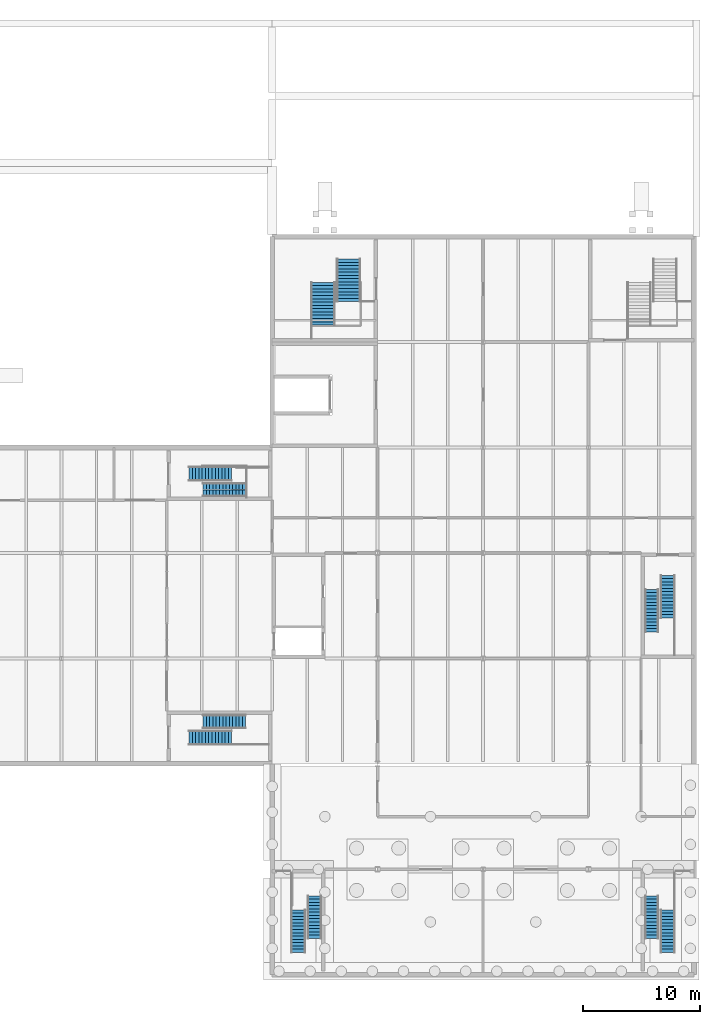
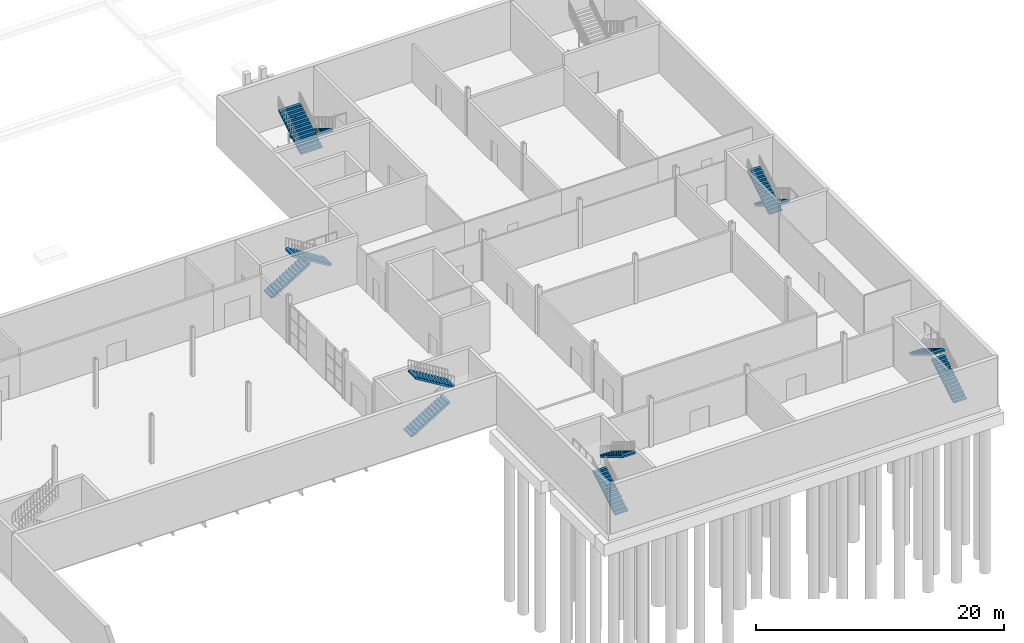
# One storey, part 21 of 31: 12 stair flights, 6 elements without a shape of their own.
"""IFC4 building model written with IfcOpenShell, lengths in metres."""

from ifc_helpers import new_model, si_unit, direction, frame, origin, place, context, subcontext, project, spatial, polyline, outline, extrude, material, type_object, element, aggregate, save


model = new_model("IFC4")

# Units and contexts
model_context = context("Model", 3, precision=1e-05, world=origin(), true_north=direction((0.0, 1.0)))
body_context = subcontext(model_context, "Body", "Model", "MODEL_VIEW")
ifc_project = project(units=[si_unit("LENGTHUNIT", "METRE"), si_unit("AREAUNIT", "SQUARE_METRE"), si_unit("VOLUMEUNIT", "CUBIC_METRE"), si_unit("PLANEANGLEUNIT", "RADIAN"), si_unit("MASSUNIT", "GRAM", prefix="KILO")], contexts=[model_context])

# Site, building, storey
site_placement = place(None, origin())
site = spatial("IfcSite", under=ifc_project, at=site_placement, CompositionType="ELEMENT")
building_placement = place(site_placement, origin())
building = spatial("IfcBuilding", under=site, at=building_placement, Name="Halyard Row Museum", CompositionType="ELEMENT")
storey_placement = place(building_placement, frame((0.0, 0.0, -4.800048828125)))
storey = spatial("IfcBuildingStorey", under=building, at=storey_placement, Name="B1", CompositionType="ELEMENT", Elevation=-4.800048828125)

# Stair, stair flights
ifc_material_1 = material(Name="Concrete 40 MPa", Category="concrete")
stair_type_1 = type_object("IfcStairType", Name="Exit stair two flights 1200", PredefinedType="HALF_TURN_STAIR", material=ifc_material_1)
stair_1_placement = place(storey_placement, origin())
stair_1 = element("IfcStair", 1, at=stair_1_placement, inside=storey, type_object=stair_type_1, Name="Exit stair K1B B1", PredefinedType="HALF_TURN_STAIR")
ifc_material_2 = material(Name="Concrete 40 MPa", Category="concrete")
stair_flight_type_1 = type_object("IfcStairFlightType", Name="Exit stair flight 1200", PredefinedType="STRAIGHT", material=ifc_material_2)
stair_flight_1_placement = place(storey_placement, frame((64.89990234375, 42.75, 0.0), z_axis=(0.0, 0.0, 1.0), x_axis=(1.0, 0.0, 0.0)))
stair_flight_1 = element("IfcStairFlight", 2, at=stair_flight_1_placement, type_object=stair_flight_type_1, Name="STK1B-B1 flight 1", NumberOfRisers=14, NumberOfTreads=13, PredefinedType="STRAIGHT", RiserHeight=0.171428571, TreadLength=0.28, context=body_context, shape_type="SweptSolid", body=[
    extrude(outline(polyline([(0.0, 0.0), (0.0, 0.17138671875), (0.280029296875, 0.17138671875), (0.280029296875, 0.3427734375), (0.56005859375, 0.3427734375), (0.56005859375, 0.514404296875), (0.840087890625, 0.514404296875), (0.840087890625, 0.685791015625), (1.1201171875, 0.685791015625), (1.1201171875, 0.857177734375), (1.39990234375, 0.857177734375), (1.39990234375, 1.028564453125), (1.679931640625, 1.028564453125), (1.679931640625, 1.199951171875), (1.9599609375, 1.199951171875), (1.9599609375, 1.371337890625), (2.239990234375, 1.371337890625), (2.239990234375, 1.54296875), (2.52001953125, 1.54296875), (2.52001953125, 1.71435546875), (2.800048828125, 1.71435546875), (2.800048828125, 1.8857421875), (3.080078125, 1.8857421875), (3.080078125, 2.05712890625), (3.360107421875, 2.05712890625), (3.360107421875, 2.228515625), (3.639892578125, 2.228515625), (3.639892578125, 2.39990234375), (3.639892578125, 2.052734375), (0.287109375, 0.0), (0.0, 0.0)])), frame((0.0, 0.60009765625, 0.0), z_axis=(0.0, -1.0, 0.0), x_axis=(1.0, 0.0, 0.0)), (0.0, 0.0, 1.0), 0.59912109375),
    extrude(outline(polyline([(0.0, 0.0), (0.0, 0.17138671875), (0.280029296875, 0.17138671875), (0.280029296875, 0.3427734375), (0.56005859375, 0.3427734375), (0.56005859375, 0.514404296875), (0.840087890625, 0.514404296875), (0.840087890625, 0.685791015625), (1.1201171875, 0.685791015625), (1.1201171875, 0.857177734375), (1.39990234375, 0.857177734375), (1.39990234375, 1.028564453125), (1.679931640625, 1.028564453125), (1.679931640625, 1.199951171875), (1.9599609375, 1.199951171875), (1.9599609375, 1.371337890625), (2.239990234375, 1.371337890625), (2.239990234375, 1.54296875), (2.52001953125, 1.54296875), (2.52001953125, 1.71435546875), (2.800048828125, 1.71435546875), (2.800048828125, 1.8857421875), (3.080078125, 1.8857421875), (3.080078125, 2.05712890625), (3.360107421875, 2.05712890625), (3.360107421875, 2.228515625), (3.639892578125, 2.228515625), (3.639892578125, 2.39990234375), (3.639892578125, 2.052734375), (0.287109375, 0.0), (0.0, 0.0)])), frame((0.0, -0.0009765625, 0.0), z_axis=(0.0, -1.0, 0.0), x_axis=(1.0, 0.0, 0.0)), (0.0, 0.0, 1.0), 0.59912109375),
])
stair_flight_2_placement = place(storey_placement, frame((69.739990234375, 41.39990234375, 2.400146484375), z_axis=(0.0, 0.0, 1.0), x_axis=(-1.0, 0.0, 0.0)))
stair_flight_2 = element("IfcStairFlight", 3, at=stair_flight_2_placement, type_object=stair_flight_type_1, Name="STK1B-B1 flight 2", NumberOfRisers=14, NumberOfTreads=13, PredefinedType="STRAIGHT", RiserHeight=0.171428571, TreadLength=0.28, context=body_context, shape_type="SweptSolid", body=[
    extrude(outline(polyline([(0.0, 0.0), (0.0, 0.17138671875), (0.280029296875, 0.17138671875), (0.280029296875, 0.3427734375), (0.56005859375, 0.3427734375), (0.56005859375, 0.514404296875), (0.840087890625, 0.514404296875), (0.840087890625, 0.685791015625), (1.1201171875, 0.685791015625), (1.1201171875, 0.857177734375), (1.39990234375, 0.857177734375), (1.39990234375, 1.028564453125), (1.679931640625, 1.028564453125), (1.679931640625, 1.199951171875), (1.9599609375, 1.199951171875), (1.9599609375, 1.371337890625), (2.239990234375, 1.371337890625), (2.239990234375, 1.54296875), (2.52001953125, 1.54296875), (2.52001953125, 1.71435546875), (2.800048828125, 1.71435546875), (2.800048828125, 1.8857421875), (3.080078125, 1.8857421875), (3.080078125, 2.05712890625), (3.360107421875, 2.05712890625), (3.360107421875, 2.228515625), (3.639892578125, 2.228515625), (3.639892578125, 2.39990234375), (3.639892578125, 2.052734375), (0.287109375, 0.0), (0.0, 0.0)])), frame((0.0, 0.60009765625, 0.0), z_axis=(0.0, -1.0, 0.0), x_axis=(1.0, 0.0, 0.0)), (0.0, 0.0, 1.0), 0.59912109375),
    extrude(outline(polyline([(0.0, 0.0), (0.0, 0.17138671875), (0.280029296875, 0.17138671875), (0.280029296875, 0.3427734375), (0.56005859375, 0.3427734375), (0.56005859375, 0.514404296875), (0.840087890625, 0.514404296875), (0.840087890625, 0.685791015625), (1.1201171875, 0.685791015625), (1.1201171875, 0.857177734375), (1.39990234375, 0.857177734375), (1.39990234375, 1.028564453125), (1.679931640625, 1.028564453125), (1.679931640625, 1.199951171875), (1.9599609375, 1.199951171875), (1.9599609375, 1.371337890625), (2.239990234375, 1.371337890625), (2.239990234375, 1.54296875), (2.52001953125, 1.54296875), (2.52001953125, 1.71435546875), (2.800048828125, 1.71435546875), (2.800048828125, 1.8857421875), (3.080078125, 1.8857421875), (3.080078125, 2.05712890625), (3.360107421875, 2.05712890625), (3.360107421875, 2.228515625), (3.639892578125, 2.228515625), (3.639892578125, 2.39990234375), (3.639892578125, 2.052734375), (0.287109375, 0.0), (0.0, 0.0)])), frame((0.0, -0.0009765625, 0.0), z_axis=(0.0, -1.0, 0.0), x_axis=(1.0, 0.0, 0.0)), (0.0, 0.0, 1.0), 0.59912109375),
])
aggregate(stair_1, [stair_flight_1, stair_flight_2])

stair_2_placement = place(storey_placement, origin())
stair_2 = element("IfcStair", 4, at=stair_2_placement, inside=storey, type_object=stair_type_1, Name="Exit stair K1C B1", PredefinedType="HALF_TURN_STAIR")
stair_flight_3_placement = place(storey_placement, frame((64.89990234375, 20.25, 0.0), z_axis=(0.0, 0.0, 1.0), x_axis=(1.0, 0.0, 0.0)))
stair_flight_3 = element("IfcStairFlight", 5, at=stair_flight_3_placement, type_object=stair_flight_type_1, Name="STK1C-B1 flight 1", NumberOfRisers=14, NumberOfTreads=13, PredefinedType="STRAIGHT", RiserHeight=0.171428571, TreadLength=0.28, context=body_context, shape_type="SweptSolid", body=[
    extrude(outline(polyline([(0.0, 0.0), (0.0, 0.17138671875), (0.280029296875, 0.17138671875), (0.280029296875, 0.3427734375), (0.56005859375, 0.3427734375), (0.56005859375, 0.514404296875), (0.840087890625, 0.514404296875), (0.840087890625, 0.685791015625), (1.1201171875, 0.685791015625), (1.1201171875, 0.857177734375), (1.39990234375, 0.857177734375), (1.39990234375, 1.028564453125), (1.679931640625, 1.028564453125), (1.679931640625, 1.199951171875), (1.9599609375, 1.199951171875), (1.9599609375, 1.371337890625), (2.239990234375, 1.371337890625), (2.239990234375, 1.54296875), (2.52001953125, 1.54296875), (2.52001953125, 1.71435546875), (2.800048828125, 1.71435546875), (2.800048828125, 1.8857421875), (3.080078125, 1.8857421875), (3.080078125, 2.05712890625), (3.360107421875, 2.05712890625), (3.360107421875, 2.228515625), (3.639892578125, 2.228515625), (3.639892578125, 2.39990234375), (3.639892578125, 2.052734375), (0.287109375, 0.0), (0.0, 0.0)])), frame((0.0, 0.60009765625, 0.0), z_axis=(0.0, -1.0, 0.0), x_axis=(1.0, 0.0, 0.0)), (0.0, 0.0, 1.0), 0.59912109375),
    extrude(outline(polyline([(0.0, 0.0), (0.0, 0.17138671875), (0.280029296875, 0.17138671875), (0.280029296875, 0.3427734375), (0.56005859375, 0.3427734375), (0.56005859375, 0.514404296875), (0.840087890625, 0.514404296875), (0.840087890625, 0.685791015625), (1.1201171875, 0.685791015625), (1.1201171875, 0.857177734375), (1.39990234375, 0.857177734375), (1.39990234375, 1.028564453125), (1.679931640625, 1.028564453125), (1.679931640625, 1.199951171875), (1.9599609375, 1.199951171875), (1.9599609375, 1.371337890625), (2.239990234375, 1.371337890625), (2.239990234375, 1.54296875), (2.52001953125, 1.54296875), (2.52001953125, 1.71435546875), (2.800048828125, 1.71435546875), (2.800048828125, 1.8857421875), (3.080078125, 1.8857421875), (3.080078125, 2.05712890625), (3.360107421875, 2.05712890625), (3.360107421875, 2.228515625), (3.639892578125, 2.228515625), (3.639892578125, 2.39990234375), (3.639892578125, 2.052734375), (0.287109375, 0.0), (0.0, 0.0)])), frame((0.0, -0.0009765625, 0.0), z_axis=(0.0, -1.0, 0.0), x_axis=(1.0, 0.0, 0.0)), (0.0, 0.0, 1.0), 0.59912109375),
])
stair_flight_4_placement = place(storey_placement, frame((69.739990234375, 21.60009765625, 2.400146484375), z_axis=(0.0, 0.0, 1.0), x_axis=(-1.0, 0.0, 0.0)))
stair_flight_4 = element("IfcStairFlight", 6, at=stair_flight_4_placement, type_object=stair_flight_type_1, Name="STK1C-B1 flight 2", NumberOfRisers=14, NumberOfTreads=13, PredefinedType="STRAIGHT", RiserHeight=0.171428571, TreadLength=0.28, context=body_context, shape_type="SweptSolid", body=[
    extrude(outline(polyline([(0.0, 0.0), (0.0, 0.17138671875), (0.280029296875, 0.17138671875), (0.280029296875, 0.3427734375), (0.56005859375, 0.3427734375), (0.56005859375, 0.514404296875), (0.840087890625, 0.514404296875), (0.840087890625, 0.685791015625), (1.1201171875, 0.685791015625), (1.1201171875, 0.857177734375), (1.39990234375, 0.857177734375), (1.39990234375, 1.028564453125), (1.679931640625, 1.028564453125), (1.679931640625, 1.199951171875), (1.9599609375, 1.199951171875), (1.9599609375, 1.371337890625), (2.239990234375, 1.371337890625), (2.239990234375, 1.54296875), (2.52001953125, 1.54296875), (2.52001953125, 1.71435546875), (2.800048828125, 1.71435546875), (2.800048828125, 1.8857421875), (3.080078125, 1.8857421875), (3.080078125, 2.05712890625), (3.360107421875, 2.05712890625), (3.360107421875, 2.228515625), (3.639892578125, 2.228515625), (3.639892578125, 2.39990234375), (3.639892578125, 2.052734375), (0.287109375, 0.0), (0.0, 0.0)])), frame((0.0, 0.60009765625, 0.0), z_axis=(0.0, -1.0, 0.0), x_axis=(1.0, 0.0, 0.0)), (0.0, 0.0, 1.0), 0.59912109375),
    extrude(outline(polyline([(0.0, 0.0), (0.0, 0.17138671875), (0.280029296875, 0.17138671875), (0.280029296875, 0.3427734375), (0.56005859375, 0.3427734375), (0.56005859375, 0.514404296875), (0.840087890625, 0.514404296875), (0.840087890625, 0.685791015625), (1.1201171875, 0.685791015625), (1.1201171875, 0.857177734375), (1.39990234375, 0.857177734375), (1.39990234375, 1.028564453125), (1.679931640625, 1.028564453125), (1.679931640625, 1.199951171875), (1.9599609375, 1.199951171875), (1.9599609375, 1.371337890625), (2.239990234375, 1.371337890625), (2.239990234375, 1.54296875), (2.52001953125, 1.54296875), (2.52001953125, 1.71435546875), (2.800048828125, 1.71435546875), (2.800048828125, 1.8857421875), (3.080078125, 1.8857421875), (3.080078125, 2.05712890625), (3.360107421875, 2.05712890625), (3.360107421875, 2.228515625), (3.639892578125, 2.228515625), (3.639892578125, 2.39990234375), (3.639892578125, 2.052734375), (0.287109375, 0.0), (0.0, 0.0)])), frame((0.0, -0.0009765625, 0.0), z_axis=(0.0, -1.0, 0.0), x_axis=(1.0, 0.0, 0.0)), (0.0, 0.0, 1.0), 0.59912109375),
])
aggregate(stair_2, [stair_flight_3, stair_flight_4])

stair_3_placement = place(storey_placement, origin())
stair_3 = element("IfcStair", 7, at=stair_3_placement, inside=storey, type_object=stair_type_1, Name="Exit stair K2A B1", PredefinedType="HALF_TURN_STAIR")
stair_flight_5_placement = place(storey_placement, frame((74.25, 1.89990234375, 0.0), z_axis=(0.0, 0.0, 1.0), x_axis=(0.0, 1.0, 0.0)))
stair_flight_5 = element("IfcStairFlight", 8, at=stair_flight_5_placement, type_object=stair_flight_type_1, Name="STK2A-B1 flight 1", NumberOfRisers=14, NumberOfTreads=13, PredefinedType="STRAIGHT", RiserHeight=0.171428571, TreadLength=0.28, context=body_context, shape_type="SweptSolid", body=[
    extrude(outline(polyline([(0.0, 0.0), (0.0, 0.17138671875), (0.280029296875, 0.17138671875), (0.280029296875, 0.3427734375), (0.56005859375, 0.3427734375), (0.56005859375, 0.514404296875), (0.840087890625, 0.514404296875), (0.840087890625, 0.685791015625), (1.1201171875, 0.685791015625), (1.1201171875, 0.857177734375), (1.39990234375, 0.857177734375), (1.39990234375, 1.028564453125), (1.679931640625, 1.028564453125), (1.679931640625, 1.199951171875), (1.9599609375, 1.199951171875), (1.9599609375, 1.371337890625), (2.239990234375, 1.371337890625), (2.239990234375, 1.54296875), (2.52001953125, 1.54296875), (2.52001953125, 1.71435546875), (2.800048828125, 1.71435546875), (2.800048828125, 1.8857421875), (3.080078125, 1.8857421875), (3.080078125, 2.05712890625), (3.360107421875, 2.05712890625), (3.360107421875, 2.228515625), (3.639892578125, 2.228515625), (3.639892578125, 2.39990234375), (3.639892578125, 2.052734375), (0.287109375, 0.0), (0.0, 0.0)])), frame((0.0, 0.60009765625, 0.0), z_axis=(0.0, -1.0, 0.0), x_axis=(1.0, 0.0, 0.0)), (0.0, 0.0, 1.0), 0.59912109375),
    extrude(outline(polyline([(0.0, 0.0), (0.0, 0.17138671875), (0.280029296875, 0.17138671875), (0.280029296875, 0.3427734375), (0.56005859375, 0.3427734375), (0.56005859375, 0.514404296875), (0.840087890625, 0.514404296875), (0.840087890625, 0.685791015625), (1.1201171875, 0.685791015625), (1.1201171875, 0.857177734375), (1.39990234375, 0.857177734375), (1.39990234375, 1.028564453125), (1.679931640625, 1.028564453125), (1.679931640625, 1.199951171875), (1.9599609375, 1.199951171875), (1.9599609375, 1.371337890625), (2.239990234375, 1.371337890625), (2.239990234375, 1.54296875), (2.52001953125, 1.54296875), (2.52001953125, 1.71435546875), (2.800048828125, 1.71435546875), (2.800048828125, 1.8857421875), (3.080078125, 1.8857421875), (3.080078125, 2.05712890625), (3.360107421875, 2.05712890625), (3.360107421875, 2.228515625), (3.639892578125, 2.228515625), (3.639892578125, 2.39990234375), (3.639892578125, 2.052734375), (0.287109375, 0.0), (0.0, 0.0)])), frame((0.0, -0.0009765625, 0.0), z_axis=(0.0, -1.0, 0.0), x_axis=(1.0, 0.0, 0.0)), (0.0, 0.0, 1.0), 0.59912109375),
])
stair_flight_6_placement = place(storey_placement, frame((75.60009765625, 6.739990234375, 2.400146484375), z_axis=(0.0, 0.0, 1.0), x_axis=(0.0, -1.0, 0.0)))
stair_flight_6 = element("IfcStairFlight", 9, at=stair_flight_6_placement, type_object=stair_flight_type_1, Name="STK2A-B1 flight 2", NumberOfRisers=14, NumberOfTreads=13, PredefinedType="STRAIGHT", RiserHeight=0.171428571, TreadLength=0.28, context=body_context, shape_type="SweptSolid", body=[
    extrude(outline(polyline([(0.0, 0.0), (0.0, 0.17138671875), (0.280029296875, 0.17138671875), (0.280029296875, 0.3427734375), (0.56005859375, 0.3427734375), (0.56005859375, 0.514404296875), (0.840087890625, 0.514404296875), (0.840087890625, 0.685791015625), (1.1201171875, 0.685791015625), (1.1201171875, 0.857177734375), (1.39990234375, 0.857177734375), (1.39990234375, 1.028564453125), (1.679931640625, 1.028564453125), (1.679931640625, 1.199951171875), (1.9599609375, 1.199951171875), (1.9599609375, 1.371337890625), (2.239990234375, 1.371337890625), (2.239990234375, 1.54296875), (2.52001953125, 1.54296875), (2.52001953125, 1.71435546875), (2.800048828125, 1.71435546875), (2.800048828125, 1.8857421875), (3.080078125, 1.8857421875), (3.080078125, 2.05712890625), (3.360107421875, 2.05712890625), (3.360107421875, 2.228515625), (3.639892578125, 2.228515625), (3.639892578125, 2.39990234375), (3.639892578125, 2.052734375), (0.287109375, 0.0), (0.0, 0.0)])), frame((0.0, 0.60009765625, 0.0), z_axis=(0.0, -1.0, 0.0), x_axis=(1.0, 0.0, 0.0)), (0.0, 0.0, 1.0), 0.59912109375),
    extrude(outline(polyline([(0.0, 0.0), (0.0, 0.17138671875), (0.280029296875, 0.17138671875), (0.280029296875, 0.3427734375), (0.56005859375, 0.3427734375), (0.56005859375, 0.514404296875), (0.840087890625, 0.514404296875), (0.840087890625, 0.685791015625), (1.1201171875, 0.685791015625), (1.1201171875, 0.857177734375), (1.39990234375, 0.857177734375), (1.39990234375, 1.028564453125), (1.679931640625, 1.028564453125), (1.679931640625, 1.199951171875), (1.9599609375, 1.199951171875), (1.9599609375, 1.371337890625), (2.239990234375, 1.371337890625), (2.239990234375, 1.54296875), (2.52001953125, 1.54296875), (2.52001953125, 1.71435546875), (2.800048828125, 1.71435546875), (2.800048828125, 1.8857421875), (3.080078125, 1.8857421875), (3.080078125, 2.05712890625), (3.360107421875, 2.05712890625), (3.360107421875, 2.228515625), (3.639892578125, 2.228515625), (3.639892578125, 2.39990234375), (3.639892578125, 2.052734375), (0.287109375, 0.0), (0.0, 0.0)])), frame((0.0, -0.0009765625, 0.0), z_axis=(0.0, -1.0, 0.0), x_axis=(1.0, 0.0, 0.0)), (0.0, 0.0, 1.0), 0.59912109375),
])
aggregate(stair_3, [stair_flight_5, stair_flight_6])

stair_4_placement = place(storey_placement, origin())
stair_4 = element("IfcStair", 10, at=stair_4_placement, inside=storey, type_object=stair_type_1, Name="Exit stair K2B B1", PredefinedType="HALF_TURN_STAIR")
stair_flight_7_placement = place(storey_placement, frame((105.75, 1.89990234375, 0.0), z_axis=(0.0, 0.0, 1.0), x_axis=(0.0, 1.0, 0.0)))
stair_flight_7 = element("IfcStairFlight", 11, at=stair_flight_7_placement, type_object=stair_flight_type_1, Name="STK2B-B1 flight 1", NumberOfRisers=14, NumberOfTreads=13, PredefinedType="STRAIGHT", RiserHeight=0.171428571, TreadLength=0.28, context=body_context, shape_type="SweptSolid", body=[
    extrude(outline(polyline([(0.0, 0.0), (0.0, 0.17138671875), (0.280029296875, 0.17138671875), (0.280029296875, 0.3427734375), (0.56005859375, 0.3427734375), (0.56005859375, 0.514404296875), (0.840087890625, 0.514404296875), (0.840087890625, 0.685791015625), (1.1201171875, 0.685791015625), (1.1201171875, 0.857177734375), (1.39990234375, 0.857177734375), (1.39990234375, 1.028564453125), (1.679931640625, 1.028564453125), (1.679931640625, 1.199951171875), (1.9599609375, 1.199951171875), (1.9599609375, 1.371337890625), (2.239990234375, 1.371337890625), (2.239990234375, 1.54296875), (2.52001953125, 1.54296875), (2.52001953125, 1.71435546875), (2.800048828125, 1.71435546875), (2.800048828125, 1.8857421875), (3.080078125, 1.8857421875), (3.080078125, 2.05712890625), (3.360107421875, 2.05712890625), (3.360107421875, 2.228515625), (3.639892578125, 2.228515625), (3.639892578125, 2.39990234375), (3.639892578125, 2.052734375), (0.287109375, 0.0), (0.0, 0.0)])), frame((0.0, 0.60009765625, 0.0), z_axis=(0.0, -1.0, 0.0), x_axis=(1.0, 0.0, 0.0)), (0.0, 0.0, 1.0), 0.59912109375),
    extrude(outline(polyline([(0.0, 0.0), (0.0, 0.17138671875), (0.280029296875, 0.17138671875), (0.280029296875, 0.3427734375), (0.56005859375, 0.3427734375), (0.56005859375, 0.514404296875), (0.840087890625, 0.514404296875), (0.840087890625, 0.685791015625), (1.1201171875, 0.685791015625), (1.1201171875, 0.857177734375), (1.39990234375, 0.857177734375), (1.39990234375, 1.028564453125), (1.679931640625, 1.028564453125), (1.679931640625, 1.199951171875), (1.9599609375, 1.199951171875), (1.9599609375, 1.371337890625), (2.239990234375, 1.371337890625), (2.239990234375, 1.54296875), (2.52001953125, 1.54296875), (2.52001953125, 1.71435546875), (2.800048828125, 1.71435546875), (2.800048828125, 1.8857421875), (3.080078125, 1.8857421875), (3.080078125, 2.05712890625), (3.360107421875, 2.05712890625), (3.360107421875, 2.228515625), (3.639892578125, 2.228515625), (3.639892578125, 2.39990234375), (3.639892578125, 2.052734375), (0.287109375, 0.0), (0.0, 0.0)])), frame((0.0, -0.0009765625, 0.0), z_axis=(0.0, -1.0, 0.0), x_axis=(1.0, 0.0, 0.0)), (0.0, 0.0, 1.0), 0.59912109375),
])
stair_flight_8_placement = place(storey_placement, frame((104.39990234375, 6.739990234375, 2.400146484375), z_axis=(0.0, 0.0, 1.0), x_axis=(0.0, -1.0, 0.0)))
stair_flight_8 = element("IfcStairFlight", 12, at=stair_flight_8_placement, type_object=stair_flight_type_1, Name="STK2B-B1 flight 2", NumberOfRisers=14, NumberOfTreads=13, PredefinedType="STRAIGHT", RiserHeight=0.171428571, TreadLength=0.28, context=body_context, shape_type="SweptSolid", body=[
    extrude(outline(polyline([(0.0, 0.0), (0.0, 0.17138671875), (0.280029296875, 0.17138671875), (0.280029296875, 0.3427734375), (0.56005859375, 0.3427734375), (0.56005859375, 0.514404296875), (0.840087890625, 0.514404296875), (0.840087890625, 0.685791015625), (1.1201171875, 0.685791015625), (1.1201171875, 0.857177734375), (1.39990234375, 0.857177734375), (1.39990234375, 1.028564453125), (1.679931640625, 1.028564453125), (1.679931640625, 1.199951171875), (1.9599609375, 1.199951171875), (1.9599609375, 1.371337890625), (2.239990234375, 1.371337890625), (2.239990234375, 1.54296875), (2.52001953125, 1.54296875), (2.52001953125, 1.71435546875), (2.800048828125, 1.71435546875), (2.800048828125, 1.8857421875), (3.080078125, 1.8857421875), (3.080078125, 2.05712890625), (3.360107421875, 2.05712890625), (3.360107421875, 2.228515625), (3.639892578125, 2.228515625), (3.639892578125, 2.39990234375), (3.639892578125, 2.052734375), (0.287109375, 0.0), (0.0, 0.0)])), frame((0.0, 0.60009765625, 0.0), z_axis=(0.0, -1.0, 0.0), x_axis=(1.0, 0.0, 0.0)), (0.0, 0.0, 1.0), 0.59912109375),
    extrude(outline(polyline([(0.0, 0.0), (0.0, 0.17138671875), (0.280029296875, 0.17138671875), (0.280029296875, 0.3427734375), (0.56005859375, 0.3427734375), (0.56005859375, 0.514404296875), (0.840087890625, 0.514404296875), (0.840087890625, 0.685791015625), (1.1201171875, 0.685791015625), (1.1201171875, 0.857177734375), (1.39990234375, 0.857177734375), (1.39990234375, 1.028564453125), (1.679931640625, 1.028564453125), (1.679931640625, 1.199951171875), (1.9599609375, 1.199951171875), (1.9599609375, 1.371337890625), (2.239990234375, 1.371337890625), (2.239990234375, 1.54296875), (2.52001953125, 1.54296875), (2.52001953125, 1.71435546875), (2.800048828125, 1.71435546875), (2.800048828125, 1.8857421875), (3.080078125, 1.8857421875), (3.080078125, 2.05712890625), (3.360107421875, 2.05712890625), (3.360107421875, 2.228515625), (3.639892578125, 2.228515625), (3.639892578125, 2.39990234375), (3.639892578125, 2.052734375), (0.287109375, 0.0), (0.0, 0.0)])), frame((0.0, -0.0009765625, 0.0), z_axis=(0.0, -1.0, 0.0), x_axis=(1.0, 0.0, 0.0)), (0.0, 0.0, 1.0), 0.59912109375),
])
aggregate(stair_4, [stair_flight_7, stair_flight_8])

stair_5_placement = place(storey_placement, origin())
stair_5 = element("IfcStair", 13, at=stair_5_placement, inside=storey, type_object=stair_type_1, Name="Exit stair K2C B1", PredefinedType="HALF_TURN_STAIR")
stair_flight_9_placement = place(storey_placement, frame((105.75, 34.10009765625, 0.0), z_axis=(0.0, 0.0, 1.0), x_axis=(0.0, -1.0, 0.0)))
stair_flight_9 = element("IfcStairFlight", 14, at=stair_flight_9_placement, type_object=stair_flight_type_1, Name="STK2C-B1 flight 1", NumberOfRisers=14, NumberOfTreads=13, PredefinedType="STRAIGHT", RiserHeight=0.171428571, TreadLength=0.28, context=body_context, shape_type="SweptSolid", body=[
    extrude(outline(polyline([(0.0, 0.0), (0.0, 0.17138671875), (0.280029296875, 0.17138671875), (0.280029296875, 0.3427734375), (0.56005859375, 0.3427734375), (0.56005859375, 0.514404296875), (0.840087890625, 0.514404296875), (0.840087890625, 0.685791015625), (1.1201171875, 0.685791015625), (1.1201171875, 0.857177734375), (1.39990234375, 0.857177734375), (1.39990234375, 1.028564453125), (1.679931640625, 1.028564453125), (1.679931640625, 1.199951171875), (1.9599609375, 1.199951171875), (1.9599609375, 1.371337890625), (2.239990234375, 1.371337890625), (2.239990234375, 1.54296875), (2.52001953125, 1.54296875), (2.52001953125, 1.71435546875), (2.800048828125, 1.71435546875), (2.800048828125, 1.8857421875), (3.080078125, 1.8857421875), (3.080078125, 2.05712890625), (3.360107421875, 2.05712890625), (3.360107421875, 2.228515625), (3.639892578125, 2.228515625), (3.639892578125, 2.39990234375), (3.639892578125, 2.052734375), (0.287109375, 0.0), (0.0, 0.0)])), frame((0.0, 0.60009765625, 0.0), z_axis=(0.0, -1.0, 0.0), x_axis=(1.0, 0.0, 0.0)), (0.0, 0.0, 1.0), 0.59912109375),
    extrude(outline(polyline([(0.0, 0.0), (0.0, 0.17138671875), (0.280029296875, 0.17138671875), (0.280029296875, 0.3427734375), (0.56005859375, 0.3427734375), (0.56005859375, 0.514404296875), (0.840087890625, 0.514404296875), (0.840087890625, 0.685791015625), (1.1201171875, 0.685791015625), (1.1201171875, 0.857177734375), (1.39990234375, 0.857177734375), (1.39990234375, 1.028564453125), (1.679931640625, 1.028564453125), (1.679931640625, 1.199951171875), (1.9599609375, 1.199951171875), (1.9599609375, 1.371337890625), (2.239990234375, 1.371337890625), (2.239990234375, 1.54296875), (2.52001953125, 1.54296875), (2.52001953125, 1.71435546875), (2.800048828125, 1.71435546875), (2.800048828125, 1.8857421875), (3.080078125, 1.8857421875), (3.080078125, 2.05712890625), (3.360107421875, 2.05712890625), (3.360107421875, 2.228515625), (3.639892578125, 2.228515625), (3.639892578125, 2.39990234375), (3.639892578125, 2.052734375), (0.287109375, 0.0), (0.0, 0.0)])), frame((0.0, -0.0009765625, 0.0), z_axis=(0.0, -1.0, 0.0), x_axis=(1.0, 0.0, 0.0)), (0.0, 0.0, 1.0), 0.59912109375),
])
stair_flight_10_placement = place(storey_placement, frame((104.39990234375, 29.260009765625, 2.400146484375), z_axis=(0.0, 0.0, 1.0), x_axis=(0.0, 1.0, 0.0)))
stair_flight_10 = element("IfcStairFlight", 15, at=stair_flight_10_placement, type_object=stair_flight_type_1, Name="STK2C-B1 flight 2", NumberOfRisers=14, NumberOfTreads=13, PredefinedType="STRAIGHT", RiserHeight=0.171428571, TreadLength=0.28, context=body_context, shape_type="SweptSolid", body=[
    extrude(outline(polyline([(0.0, 0.0), (0.0, 0.17138671875), (0.280029296875, 0.17138671875), (0.280029296875, 0.3427734375), (0.56005859375, 0.3427734375), (0.56005859375, 0.514404296875), (0.840087890625, 0.514404296875), (0.840087890625, 0.685791015625), (1.1201171875, 0.685791015625), (1.1201171875, 0.857177734375), (1.39990234375, 0.857177734375), (1.39990234375, 1.028564453125), (1.679931640625, 1.028564453125), (1.679931640625, 1.199951171875), (1.9599609375, 1.199951171875), (1.9599609375, 1.371337890625), (2.239990234375, 1.371337890625), (2.239990234375, 1.54296875), (2.52001953125, 1.54296875), (2.52001953125, 1.71435546875), (2.800048828125, 1.71435546875), (2.800048828125, 1.8857421875), (3.080078125, 1.8857421875), (3.080078125, 2.05712890625), (3.360107421875, 2.05712890625), (3.360107421875, 2.228515625), (3.639892578125, 2.228515625), (3.639892578125, 2.39990234375), (3.639892578125, 2.052734375), (0.287109375, 0.0), (0.0, 0.0)])), frame((0.0, 0.60009765625, 0.0), z_axis=(0.0, -1.0, 0.0), x_axis=(1.0, 0.0, 0.0)), (0.0, 0.0, 1.0), 0.59912109375),
    extrude(outline(polyline([(0.0, 0.0), (0.0, 0.17138671875), (0.280029296875, 0.17138671875), (0.280029296875, 0.3427734375), (0.56005859375, 0.3427734375), (0.56005859375, 0.514404296875), (0.840087890625, 0.514404296875), (0.840087890625, 0.685791015625), (1.1201171875, 0.685791015625), (1.1201171875, 0.857177734375), (1.39990234375, 0.857177734375), (1.39990234375, 1.028564453125), (1.679931640625, 1.028564453125), (1.679931640625, 1.199951171875), (1.9599609375, 1.199951171875), (1.9599609375, 1.371337890625), (2.239990234375, 1.371337890625), (2.239990234375, 1.54296875), (2.52001953125, 1.54296875), (2.52001953125, 1.71435546875), (2.800048828125, 1.71435546875), (2.800048828125, 1.8857421875), (3.080078125, 1.8857421875), (3.080078125, 2.05712890625), (3.360107421875, 2.05712890625), (3.360107421875, 2.228515625), (3.639892578125, 2.228515625), (3.639892578125, 2.39990234375), (3.639892578125, 2.052734375), (0.287109375, 0.0), (0.0, 0.0)])), frame((0.0, -0.0009765625, 0.0), z_axis=(0.0, -1.0, 0.0), x_axis=(1.0, 0.0, 0.0)), (0.0, 0.0, 1.0), 0.59912109375),
])
aggregate(stair_5, [stair_flight_9, stair_flight_10])

ifc_material_3 = material(Name="Concrete 40 MPa", Category="concrete")
stair_type_2 = type_object("IfcStairType", Name="Exit stair two flights 2000", PredefinedType="HALF_TURN_STAIR", material=ifc_material_3)
stair_6_placement = place(storey_placement, origin())
stair_6 = element("IfcStair", 16, at=stair_6_placement, inside=storey, type_object=stair_type_2, Name="Exit stair K5A B1", PredefinedType="HALF_TURN_STAIR")
ifc_material_4 = material(Name="Concrete 40 MPa", Category="concrete")
stair_flight_type_2 = type_object("IfcStairFlightType", Name="Exit stair flight 2000", PredefinedType="STRAIGHT", material=ifc_material_4)
stair_flight_11_placement = place(storey_placement, frame((78.5, 61.10009765625, 0.0), z_axis=(0.0, 0.0, 1.0), x_axis=(0.0, -1.0, 0.0)))
stair_flight_11 = element("IfcStairFlight", 17, at=stair_flight_11_placement, type_object=stair_flight_type_2, Name="STK5A-B1 flight 1", NumberOfRisers=14, NumberOfTreads=13, PredefinedType="STRAIGHT", RiserHeight=0.171428571, TreadLength=0.28, context=body_context, shape_type="SweptSolid", body=[
    extrude(outline(polyline([(0.0, 0.0), (0.0, 0.17138671875), (0.280029296875, 0.17138671875), (0.280029296875, 0.3427734375), (0.56005859375, 0.3427734375), (0.56005859375, 0.514404296875), (0.840087890625, 0.514404296875), (0.840087890625, 0.685791015625), (1.1201171875, 0.685791015625), (1.1201171875, 0.857177734375), (1.39990234375, 0.857177734375), (1.39990234375, 1.028564453125), (1.679931640625, 1.028564453125), (1.679931640625, 1.199951171875), (1.9599609375, 1.199951171875), (1.9599609375, 1.371337890625), (2.239990234375, 1.371337890625), (2.239990234375, 1.54296875), (2.52001953125, 1.54296875), (2.52001953125, 1.71435546875), (2.800048828125, 1.71435546875), (2.800048828125, 1.8857421875), (3.080078125, 1.8857421875), (3.080078125, 2.05712890625), (3.360107421875, 2.05712890625), (3.360107421875, 2.228515625), (3.639892578125, 2.228515625), (3.639892578125, 2.39990234375), (3.639892578125, 2.052734375), (0.287109375, 0.0), (0.0, 0.0)])), frame((0.0, 1.0, 0.0), z_axis=(0.0, -1.0, 0.0), x_axis=(1.0, 0.0, 0.0)), (0.0, 0.0, 1.0), 0.9990234375),
    extrude(outline(polyline([(0.0, 0.0), (0.0, 0.17138671875), (0.280029296875, 0.17138671875), (0.280029296875, 0.3427734375), (0.56005859375, 0.3427734375), (0.56005859375, 0.514404296875), (0.840087890625, 0.514404296875), (0.840087890625, 0.685791015625), (1.1201171875, 0.685791015625), (1.1201171875, 0.857177734375), (1.39990234375, 0.857177734375), (1.39990234375, 1.028564453125), (1.679931640625, 1.028564453125), (1.679931640625, 1.199951171875), (1.9599609375, 1.199951171875), (1.9599609375, 1.371337890625), (2.239990234375, 1.371337890625), (2.239990234375, 1.54296875), (2.52001953125, 1.54296875), (2.52001953125, 1.71435546875), (2.800048828125, 1.71435546875), (2.800048828125, 1.8857421875), (3.080078125, 1.8857421875), (3.080078125, 2.05712890625), (3.360107421875, 2.05712890625), (3.360107421875, 2.228515625), (3.639892578125, 2.228515625), (3.639892578125, 2.39990234375), (3.639892578125, 2.052734375), (0.287109375, 0.0), (0.0, 0.0)])), frame((0.0, -0.0009765625, 0.0), z_axis=(0.0, -1.0, 0.0), x_axis=(1.0, 0.0, 0.0)), (0.0, 0.0, 1.0), 0.9990234375),
])
stair_flight_12_placement = place(storey_placement, frame((76.35009765625, 55.4599609375, 2.400146484375), z_axis=(0.0, 0.0, 1.0), x_axis=(0.0, 1.0, 0.0)))
stair_flight_12 = element("IfcStairFlight", 18, at=stair_flight_12_placement, type_object=stair_flight_type_2, Name="STK5A-B1 flight 2", NumberOfRisers=14, NumberOfTreads=13, PredefinedType="STRAIGHT", RiserHeight=0.171428571, TreadLength=0.28, context=body_context, shape_type="SweptSolid", body=[
    extrude(outline(polyline([(0.0, 0.0), (0.0, 0.17138671875), (0.280029296875, 0.17138671875), (0.280029296875, 0.3427734375), (0.56005859375, 0.3427734375), (0.56005859375, 0.514404296875), (0.840087890625, 0.514404296875), (0.840087890625, 0.685791015625), (1.1201171875, 0.685791015625), (1.1201171875, 0.857177734375), (1.39990234375, 0.857177734375), (1.39990234375, 1.028564453125), (1.679931640625, 1.028564453125), (1.679931640625, 1.199951171875), (1.9599609375, 1.199951171875), (1.9599609375, 1.371337890625), (2.239990234375, 1.371337890625), (2.239990234375, 1.54296875), (2.52001953125, 1.54296875), (2.52001953125, 1.71435546875), (2.800048828125, 1.71435546875), (2.800048828125, 1.8857421875), (3.080078125, 1.8857421875), (3.080078125, 2.05712890625), (3.360107421875, 2.05712890625), (3.360107421875, 2.228515625), (3.639892578125, 2.228515625), (3.639892578125, 2.39990234375), (3.639892578125, 2.052734375), (0.287109375, 0.0), (0.0, 0.0)])), frame((0.0, 1.0, 0.0), z_axis=(0.0, -1.0, 0.0), x_axis=(1.0, 0.0, 0.0)), (0.0, 0.0, 1.0), 0.9990234375),
    extrude(outline(polyline([(0.0, 0.0), (0.0, 0.17138671875), (0.280029296875, 0.17138671875), (0.280029296875, 0.3427734375), (0.56005859375, 0.3427734375), (0.56005859375, 0.514404296875), (0.840087890625, 0.514404296875), (0.840087890625, 0.685791015625), (1.1201171875, 0.685791015625), (1.1201171875, 0.857177734375), (1.39990234375, 0.857177734375), (1.39990234375, 1.028564453125), (1.679931640625, 1.028564453125), (1.679931640625, 1.199951171875), (1.9599609375, 1.199951171875), (1.9599609375, 1.371337890625), (2.239990234375, 1.371337890625), (2.239990234375, 1.54296875), (2.52001953125, 1.54296875), (2.52001953125, 1.71435546875), (2.800048828125, 1.71435546875), (2.800048828125, 1.8857421875), (3.080078125, 1.8857421875), (3.080078125, 2.05712890625), (3.360107421875, 2.05712890625), (3.360107421875, 2.228515625), (3.639892578125, 2.228515625), (3.639892578125, 2.39990234375), (3.639892578125, 2.052734375), (0.287109375, 0.0), (0.0, 0.0)])), frame((0.0, -0.0009765625, 0.0), z_axis=(0.0, -1.0, 0.0), x_axis=(1.0, 0.0, 0.0)), (0.0, 0.0, 1.0), 0.9990234375),
])
aggregate(stair_6, [stair_flight_11, stair_flight_12])

save(model, "model.ifc")
